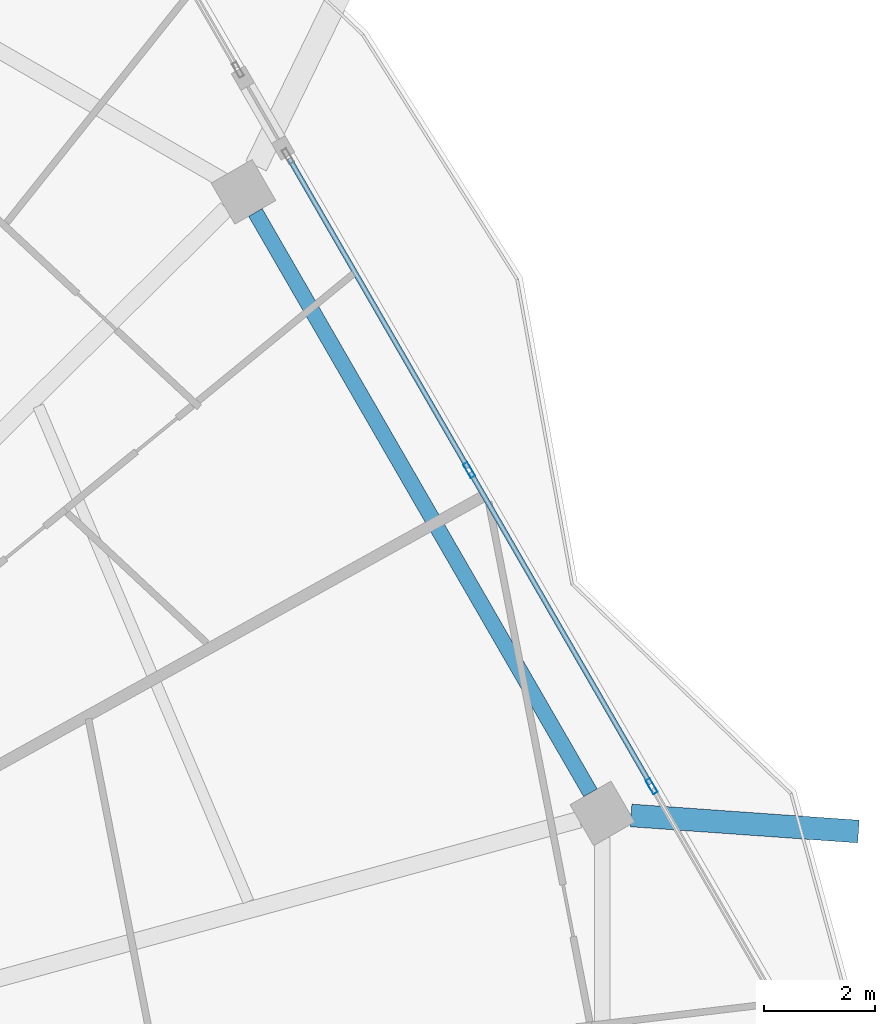
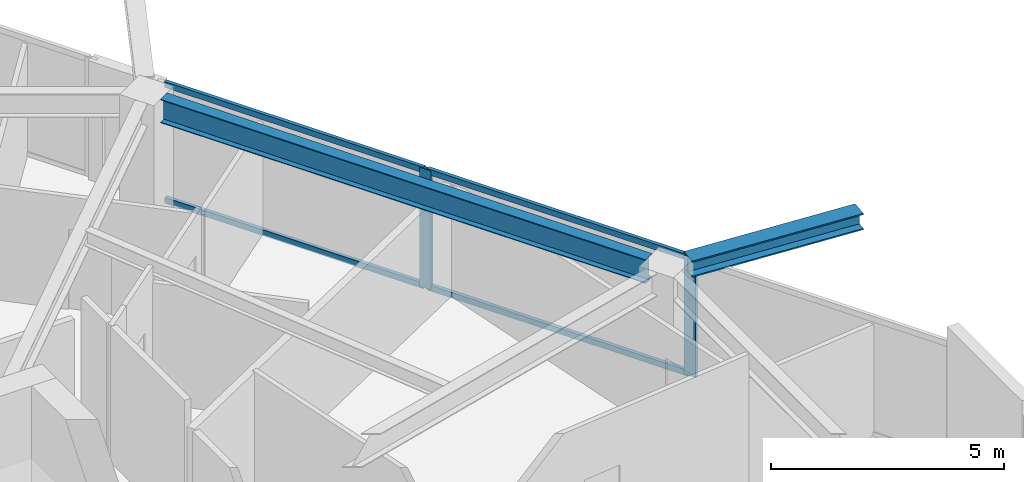
# One storey, part 15 of 26: 6 members, 2 beams, 1 element without a shape of its own.
"""IFC4 building model written with IfcOpenShell, lengths in metres."""

from ifc_helpers import new_model, si_unit, direction, frame, origin, origin_2d, place, context, subcontext, project, spatial, hollow_rectangle, i_section, extrude, material, material_profile, profile_set, type_object, element, aggregate, save


model = new_model("IFC4")

# Units and contexts
model_context = context("Model", 3, precision=1e-05, world=origin(), true_north=direction((0.0, 1.0)))
body_context = subcontext(model_context, "Body", "Model", "MODEL_VIEW")
ifc_project = project(units=[si_unit("LENGTHUNIT", "METRE"), si_unit("AREAUNIT", "SQUARE_METRE"), si_unit("VOLUMEUNIT", "CUBIC_METRE"), si_unit("PLANEANGLEUNIT", "RADIAN"), si_unit("MASSUNIT", "GRAM", prefix="KILO")], contexts=[model_context])

# Site, building, storey
site_placement = place(None, origin())
site = spatial("IfcSite", under=ifc_project, at=site_placement, CompositionType="ELEMENT")
building_placement = place(site_placement, origin())
building = spatial("IfcBuilding", under=site, at=building_placement, Name="Zuhravey Tower", CompositionType="ELEMENT")
storey_placement = place(building_placement, frame((0.0, 0.0, 273.0)))
storey = spatial("IfcBuildingStorey", under=building, at=storey_placement, Name="L69", CompositionType="ELEMENT", Elevation=273.0)

# Curtain wall, members
ifc_material_1 = material(Name="Thermally broken anodised aluminium", Category="aluminium")
curtain_wall_type = type_object("IfcCurtainWallType", Name="Zone 3-4 High-Rise Curtain Wall CW4", PredefinedType="NOTDEFINED", material=ifc_material_1)
curtain_wall_placement = place(storey_placement, origin())
curtain_wall = element("IfcCurtainWall", 1, at=curtain_wall_placement, inside=storey, type_object=curtain_wall_type, Name="L69 CW4 CW-L69-F1-2", PredefinedType="NOTDEFINED")
ifc_material_2 = material(Name="Anodised aluminium", Category="aluminium")
ifc_material_profile_1 = material_profile(ifc_material_2, hollow_rectangle(XDim=0.090087890625, YDim=0.284912109375, WallThickness=0.0048828125, at=origin_2d()), Name="ALU-RHS-90x285x5")
ifc_profile_set_1 = profile_set([ifc_material_profile_1], Name="Anodised aluminium")
member_type_1 = type_object("IfcMemberType", Name="Curtain-Wall Mullion 90x180", PredefinedType="MULLION", material=ifc_profile_set_1)
member_1_placement = place(storey_placement, frame((58.09375, 44.859619140625, 0.0), z_axis=(0.0, 0.0, 1.0), x_axis=(0.866025529954, 0.499999781467, 0.0)))
member_1 = element("IfcMember", 2, at=member_1_placement, type_object=member_type_1, Name="CW4 mullion 2", PredefinedType="MULLION", context=body_context, shape_type="SweptSolid", body=[
    extrude(hollow_rectangle(XDim=0.090087890625, YDim=0.284912109375, WallThickness=0.0048828125, at=origin_2d()), origin(), (0.0, 0.0, 1.0), 3.1220703125),
])
member_2_placement = place(storey_placement, frame((61.369384765625, 39.18603515625, 0.0), z_axis=(0.0, 0.0, 1.0), x_axis=(0.866025529954, 0.499999781467, 0.0)))
member_2 = element("IfcMember", 3, at=member_2_placement, type_object=member_type_1, Name="CW4 mullion 3", PredefinedType="MULLION", context=body_context, shape_type="SweptSolid", body=[
    extrude(hollow_rectangle(XDim=0.090087890625, YDim=0.284912109375, WallThickness=0.0048828125, at=origin_2d()), origin(), (0.0, 0.0, 1.0), 3.1220703125),
])
ifc_material_profile_2 = material_profile(ifc_material_2, hollow_rectangle(XDim=0.090087890625, YDim=0.14990234375, WallThickness=0.0048828125, at=origin_2d()), Name="ALU-RHS-90x150x5")
ifc_profile_set_2 = profile_set([ifc_material_profile_2], Name="Anodised aluminium")
member_type_2 = type_object("IfcMemberType", Name="Curtain-Wall Transom 90x150", PredefinedType="USERDEFINED", material=ifc_profile_set_2)
member_3_placement = place(storey_placement, frame((54.86328125, 50.455322265625, 0.044921875), z_axis=(0.499985955615, -0.866033512162, 0.0), x_axis=(0.866033512162, 0.499985955615, 0.0)))
member_3 = element("IfcMember", 4, at=member_3_placement, type_object=member_type_2, Name="CW4 transom 1.1", ObjectType="TRANSOM", PredefinedType="USERDEFINED", context=body_context, shape_type="SweptSolid", body=[
    extrude(hollow_rectangle(XDim=0.090087890625, YDim=0.14990234375, WallThickness=0.0048828125, at=origin_2d()), origin(), (0.0, 0.0, 1.0), 6.416259765625),
])
member_4_placement = place(storey_placement, frame((54.86328125, 50.455322265625, 3.076904296875), z_axis=(0.499985955615, -0.866033512162, 0.0), x_axis=(0.866033512162, 0.499985955615, 0.0)))
member_4 = element("IfcMember", 5, at=member_4_placement, type_object=member_type_2, Name="CW4 transom 1.2", ObjectType="TRANSOM", PredefinedType="USERDEFINED", context=body_context, shape_type="SweptSolid", body=[
    extrude(hollow_rectangle(XDim=0.090087890625, YDim=0.14990234375, WallThickness=0.0048828125, at=origin_2d()), origin(), (0.0, 0.0, 1.0), 6.416259765625),
])
member_5_placement = place(storey_placement, frame((58.116455078125, 44.820556640625, 0.044921875), z_axis=(0.499991758174, -0.866030162152, 0.0), x_axis=(0.866030162152, 0.499991758174, 0.0)))
member_5 = element("IfcMember", 6, at=member_5_placement, type_object=member_type_2, Name="CW4 transom 2.1", ObjectType="TRANSOM", PredefinedType="USERDEFINED", context=body_context, shape_type="SweptSolid", body=[
    extrude(hollow_rectangle(XDim=0.090087890625, YDim=0.14990234375, WallThickness=0.0048828125, at=origin_2d()), origin(), (0.0, 0.0, 1.0), 6.4609375),
])
member_6_placement = place(storey_placement, frame((58.116455078125, 44.820556640625, 3.076904296875), z_axis=(0.499991758174, -0.866030162152, 0.0), x_axis=(0.866030162152, 0.499991758174, 0.0)))
member_6 = element("IfcMember", 7, at=member_6_placement, type_object=member_type_2, Name="CW4 transom 2.2", ObjectType="TRANSOM", PredefinedType="USERDEFINED", context=body_context, shape_type="SweptSolid", body=[
    extrude(hollow_rectangle(XDim=0.090087890625, YDim=0.14990234375, WallThickness=0.0048828125, at=origin_2d()), origin(), (0.0, 0.0, 1.0), 6.4609375),
])
aggregate(curtain_wall, [member_1, member_2, member_3, member_4, member_5, member_6])

# Beams
ifc_material_3 = material(Name="Steel SM460", Category="steel")
ifc_material_profile_3 = material_profile(ifc_material_3, i_section(OverallWidth=0.406982421875, OverallDepth=0.427978515625, WebThickness=0.02001953125, FlangeThickness=0.034912109375, at=origin_2d()), Name="H-428x407x20x35")
ifc_profile_set_3 = profile_set([ifc_material_profile_3], Name="Steel SM460")
beam_type_1 = type_object("IfcBeamType", Name="Exoskeleton Node Tie Beam H428x407", PredefinedType="BEAM", material=ifc_profile_set_3)
beam_1_placement = place(storey_placement, frame((61.000244140625, 38.662353515625, 3.3359375), z_axis=(0.997503944526, -0.070610768692, 0.0), x_axis=(0.070610768692, 0.997503944526, 0.0)))
element("IfcBeam", 8, at=beam_1_placement, inside=storey, type_object=beam_type_1, Name="L69 Exoskeleton Node Tie NT1-01", PredefinedType="BEAM", context=body_context, shape_type="SweptSolid", body=[
    extrude(i_section(OverallWidth=0.406982421875, OverallDepth=0.427978515625, WebThickness=0.02001953125, FlangeThickness=0.034912109375, at=origin_2d()), origin(), (0.0, 0.0, 1.0), 4.09033203125),
])
ifc_material_4 = material(Name="Steel SM355", Category="steel")
ifc_material_profile_4 = material_profile(ifc_material_4, i_section(OverallWidth=0.280029296875, OverallDepth=0.6201171875, WebThickness=0.011962890625, FlangeThickness=0.02001953125, at=origin_2d()), Name="H-620x280x12x20")
ifc_profile_set_4 = profile_set([ifc_material_profile_4], Name="Steel SM355")
beam_type_2 = type_object("IfcBeamType", Name="Perimeter Ring Beam H620x280", PredefinedType="BEAM", material=ifc_profile_set_4)
beam_2_placement = place(storey_placement, frame((60.2705078125, 39.069580078125, 3.239990234375), z_axis=(-0.500005971936, 0.866021955858, 0.0), x_axis=(-0.866021955858, -0.500005971936, 0.0)))
element("IfcBeam", 9, at=beam_2_placement, inside=storey, type_object=beam_type_2, Name="L69 PB3 BM-L69-PB-01", PredefinedType="BEAM", context=body_context, shape_type="SweptSolid", body=[
    extrude(i_section(OverallWidth=0.280029296875, OverallDepth=0.6201171875, WebThickness=0.011962890625, FlangeThickness=0.02001953125, at=origin_2d()), origin(), (0.0, 0.0, 1.0), 12.025634765625),
])

save(model, "model.ifc")
